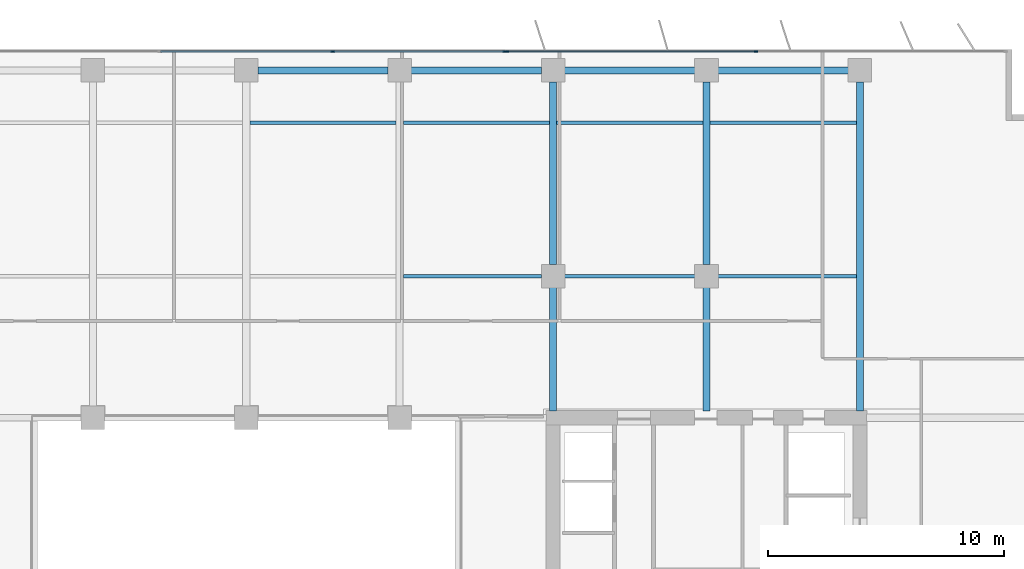
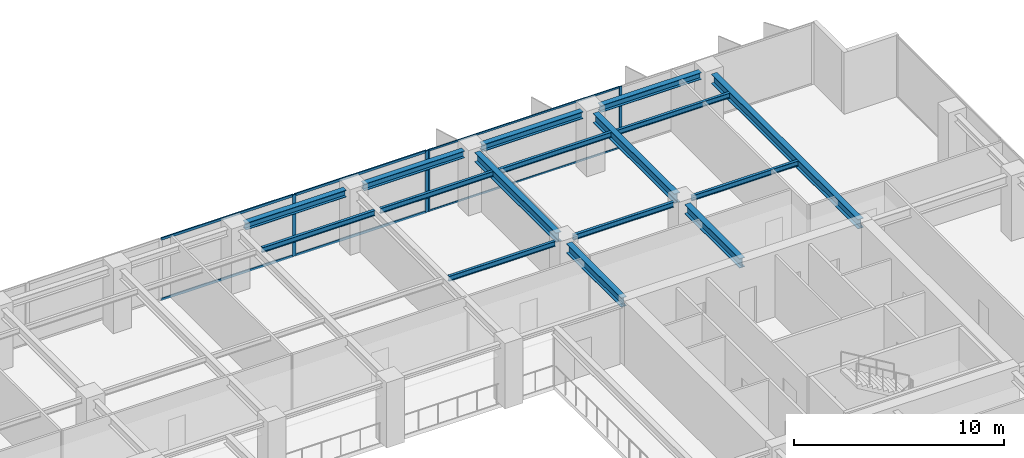
# One storey, part 10 of 22: 16 beams, 10 members, 2 elements without a shape of their own.
"""IFC4 building model written with IfcOpenShell, lengths in metres."""

from ifc_helpers import new_model, si_unit, direction, frame, origin, origin_2d, place, context, subcontext, project, spatial, rectangle, i_section, extrude, material, layer, layer_set, material_profile, profile_set, type_object, element, aggregate, save


model = new_model("IFC4")

# Units and contexts
model_context = context("Model", 3, precision=1e-05, world=origin(), true_north=direction((0.0, 1.0)))
body_context = subcontext(model_context, "Body", "Model", "MODEL_VIEW")
ifc_project = project(units=[si_unit("LENGTHUNIT", "METRE"), si_unit("AREAUNIT", "SQUARE_METRE"), si_unit("VOLUMEUNIT", "CUBIC_METRE"), si_unit("PLANEANGLEUNIT", "RADIAN"), si_unit("MASSUNIT", "GRAM", prefix="KILO")], contexts=[model_context])

# Site, building, storey
site_placement = place(None, origin())
site = spatial("IfcSite", under=ifc_project, at=site_placement, CompositionType="ELEMENT")
building_placement = place(site_placement, origin())
building = spatial("IfcBuilding", under=site, at=building_placement, Name="Putna Gate Headquarters", CompositionType="ELEMENT")
storey_placement = place(building_placement, frame((0.0, 0.0, 155.60009765625)))
storey = spatial("IfcBuildingStorey", under=building, at=storey_placement, Name="L38", CompositionType="ELEMENT", Elevation=155.60009765625)

# Beams
ifc_material_1 = material(Name="Steel S355J2", Category="steel")
ifc_material_profile_1 = material_profile(ifc_material_1, i_section(OverallWidth=0.300048828125, OverallDepth=0.550048828125, WebThickness=0.014892578125, FlangeThickness=0.029052734375, at=origin_2d()), Name="Steel S355J2")
ifc_profile_set_1 = profile_set([ifc_material_profile_1], Name="Steel S355J2")
beam_type_1 = type_object("IfcBeamType", Name="BM-GIRD-Z3-HEB550", PredefinedType="USERDEFINED", material=ifc_profile_set_1)
beam_1_placement = place(storey_placement, frame((52.0, 33.284912109375, 3.296875), z_axis=(0.0, 1.0, 0.0), x_axis=(-1.0, 0.0, 0.0)))
element("IfcBeam", 1, at=beam_1_placement, inside=storey, type_object=beam_type_1, Name="L38 North Primary Girder X52-1", ObjectType="GIRDER", PredefinedType="USERDEFINED", context=body_context, shape_type="SweptSolid", body=[
    extrude(i_section(OverallWidth=0.300048828125, OverallDepth=0.550048828125, WebThickness=0.014892578125, FlangeThickness=0.029052734375, at=origin_2d()), origin(), (0.0, 0.0, 1.0), 5.22705078125),
])
beam_2_placement = place(storey_placement, frame((52.0, 39.488037109375, 3.296875), z_axis=(0.0, 1.0, 0.0), x_axis=(-1.0, 0.0, 0.0)))
element("IfcBeam", 2, at=beam_2_placement, inside=storey, type_object=beam_type_1, Name="L38 North Primary Girder X52-2", ObjectType="GIRDER", PredefinedType="USERDEFINED", context=body_context, shape_type="SweptSolid", body=[
    extrude(i_section(OverallWidth=0.300048828125, OverallDepth=0.550048828125, WebThickness=0.014892578125, FlangeThickness=0.029052734375, at=origin_2d()), origin(), (0.0, 0.0, 1.0), 7.743896484375),
])
beam_3_placement = place(storey_placement, frame((58.5, 33.284912109375, 3.296875), z_axis=(0.0, 1.0, 0.0), x_axis=(-1.0, 0.0, 0.0)))
element("IfcBeam", 3, at=beam_3_placement, inside=storey, type_object=beam_type_1, Name="L38 North Primary Girder X58-1", ObjectType="GIRDER", PredefinedType="USERDEFINED", context=body_context, shape_type="SweptSolid", body=[
    extrude(i_section(OverallWidth=0.300048828125, OverallDepth=0.550048828125, WebThickness=0.014892578125, FlangeThickness=0.029052734375, at=origin_2d()), origin(), (0.0, 0.0, 1.0), 5.22705078125),
])
beam_4_placement = place(storey_placement, frame((58.5, 39.488037109375, 3.296875), z_axis=(0.0, 1.0, 0.0), x_axis=(-1.0, 0.0, 0.0)))
element("IfcBeam", 4, at=beam_4_placement, inside=storey, type_object=beam_type_1, Name="L38 North Primary Girder X58-2", ObjectType="GIRDER", PredefinedType="USERDEFINED", context=body_context, shape_type="SweptSolid", body=[
    extrude(i_section(OverallWidth=0.300048828125, OverallDepth=0.550048828125, WebThickness=0.014892578125, FlangeThickness=0.029052734375, at=origin_2d()), origin(), (0.0, 0.0, 1.0), 7.743896484375),
])
beam_5_placement = place(storey_placement, frame((65.0, 33.284912109375, 3.296875), z_axis=(0.0, 1.0, 0.0), x_axis=(-1.0, 0.0, 0.0)))
element("IfcBeam", 5, at=beam_5_placement, inside=storey, type_object=beam_type_1, Name="L38 North Primary Girder X65", ObjectType="GIRDER", PredefinedType="USERDEFINED", context=body_context, shape_type="SweptSolid", body=[
    extrude(i_section(OverallWidth=0.300048828125, OverallDepth=0.550048828125, WebThickness=0.014892578125, FlangeThickness=0.029052734375, at=origin_2d()), origin(), (0.0, 0.0, 1.0), 13.947021484375),
])
ifc_material_profile_2 = material_profile(ifc_material_1, i_section(OverallWidth=0.14990234375, OverallDepth=0.300048828125, WebThickness=0.007080078125, FlangeThickness=0.0107421875, at=origin_2d()), Name="Steel S355J2")
ifc_profile_set_2 = profile_set([ifc_material_profile_2], Name="Steel S355J2")
beam_type_2 = type_object("IfcBeamType", Name="BM-SEC-Z3-IPE300", PredefinedType="JOIST", material=ifc_profile_set_2)
beam_6_placement = place(storey_placement, frame((39.154052734375, 45.5, 3.421875), z_axis=(1.0, 0.0, 0.0), x_axis=(0.0, 1.0, 0.0)))
element("IfcBeam", 6, at=beam_6_placement, inside=storey, type_object=beam_type_2, Name="L38 North Secondary Beam 5", PredefinedType="JOIST", context=body_context, shape_type="SweptSolid", body=[
    extrude(i_section(OverallWidth=0.14990234375, OverallDepth=0.300048828125, WebThickness=0.007080078125, FlangeThickness=0.0107421875, at=origin_2d()), origin(), (0.0, 0.0, 1.0), 6.19189453125),
])
beam_7_placement = place(storey_placement, frame((45.654052734375, 39.0, 3.421875), z_axis=(1.0, 0.0, 0.0), x_axis=(0.0, 1.0, 0.0)))
element("IfcBeam", 7, at=beam_7_placement, inside=storey, type_object=beam_type_2, Name="L38 North Secondary Beam 6", PredefinedType="JOIST", context=body_context, shape_type="SweptSolid", body=[
    extrude(i_section(OverallWidth=0.14990234375, OverallDepth=0.300048828125, WebThickness=0.007080078125, FlangeThickness=0.0107421875, at=origin_2d()), origin(), (0.0, 0.0, 1.0), 5.85791015625),
])
beam_8_placement = place(storey_placement, frame((45.654052734375, 45.5, 3.421875), z_axis=(1.0, 0.0, 0.0), x_axis=(0.0, 1.0, 0.0)))
element("IfcBeam", 8, at=beam_8_placement, inside=storey, type_object=beam_type_2, Name="L38 North Secondary Beam 6", PredefinedType="JOIST", context=body_context, shape_type="SweptSolid", body=[
    extrude(i_section(OverallWidth=0.14990234375, OverallDepth=0.300048828125, WebThickness=0.007080078125, FlangeThickness=0.0107421875, at=origin_2d()), origin(), (0.0, 0.0, 1.0), 6.19189453125),
])
beam_9_placement = place(storey_placement, frame((52.488037109375, 39.0, 3.421875), z_axis=(1.0, 0.0, 0.0), x_axis=(0.0, 1.0, 0.0)))
element("IfcBeam", 9, at=beam_9_placement, inside=storey, type_object=beam_type_2, Name="L38 North Secondary Beam 7", PredefinedType="JOIST", context=body_context, shape_type="SweptSolid", body=[
    extrude(i_section(OverallWidth=0.14990234375, OverallDepth=0.300048828125, WebThickness=0.007080078125, FlangeThickness=0.0107421875, at=origin_2d()), origin(), (0.0, 0.0, 1.0), 5.52392578125),
])
beam_10_placement = place(storey_placement, frame((52.154052734375, 45.5, 3.421875), z_axis=(1.0, 0.0, 0.0), x_axis=(0.0, 1.0, 0.0)))
element("IfcBeam", 10, at=beam_10_placement, inside=storey, type_object=beam_type_2, Name="L38 North Secondary Beam 7", PredefinedType="JOIST", context=body_context, shape_type="SweptSolid", body=[
    extrude(i_section(OverallWidth=0.14990234375, OverallDepth=0.300048828125, WebThickness=0.007080078125, FlangeThickness=0.0107421875, at=origin_2d()), origin(), (0.0, 0.0, 1.0), 6.19189453125),
])
beam_11_placement = place(storey_placement, frame((58.988037109375, 39.0, 3.421875), z_axis=(1.0, 0.0, 0.0), x_axis=(0.0, 1.0, 0.0)))
element("IfcBeam", 11, at=beam_11_placement, inside=storey, type_object=beam_type_2, Name="L38 North Secondary Beam 8", PredefinedType="JOIST", context=body_context, shape_type="SweptSolid", body=[
    extrude(i_section(OverallWidth=0.14990234375, OverallDepth=0.300048828125, WebThickness=0.007080078125, FlangeThickness=0.0107421875, at=origin_2d()), origin(), (0.0, 0.0, 1.0), 5.85791015625),
])
beam_12_placement = place(storey_placement, frame((58.654052734375, 45.5, 3.421875), z_axis=(1.0, 0.0, 0.0), x_axis=(0.0, 1.0, 0.0)))
element("IfcBeam", 12, at=beam_12_placement, inside=storey, type_object=beam_type_2, Name="L38 North Secondary Beam 8", PredefinedType="JOIST", context=body_context, shape_type="SweptSolid", body=[
    extrude(i_section(OverallWidth=0.14990234375, OverallDepth=0.300048828125, WebThickness=0.007080078125, FlangeThickness=0.0107421875, at=origin_2d()), origin(), (0.0, 0.0, 1.0), 6.19189453125),
])
ifc_material_profile_3 = material_profile(ifc_material_1, i_section(OverallWidth=0.300048828125, OverallDepth=0.39990234375, WebThickness=0.013427734375, FlangeThickness=0.02392578125, at=origin_2d()), Name="Steel S355J2")
ifc_profile_set_3 = profile_set([ifc_material_profile_3], Name="Steel S355J2")
beam_type_3 = type_object("IfcBeamType", Name="BM-SPAN-Z3-HEB400", PredefinedType="SPANDREL", material=ifc_profile_set_3)
for number, where, z_axis, x_axis, name in (
    (13, (39.488037109375, 47.719970703125, 3.371826171875), (1.0, 0.0, 0.0), (0.0, 1.0, 0.0), "L38 N Perimeter Spandrel 5"),
    (14, (45.988037109375, 47.719970703125, 3.371826171875), (1.0, 0.0, 0.0), (0.0, 1.0, 0.0), "L38 N Perimeter Spandrel 6"),
    (15, (52.488037109375, 47.719970703125, 3.371826171875), (1.0, 0.0, 0.0), (0.0, 1.0, 0.0), "L38 N Perimeter Spandrel 7"),
    (16, (58.988037109375, 47.719970703125, 3.371826171875), (1.0, 0.0, 0.0), (0.0, 1.0, 0.0), "L38 N Perimeter Spandrel 8"),
):
    element("IfcBeam", number, at=place(storey_placement, frame(where, z_axis=z_axis, x_axis=x_axis)), inside=storey, type_object=beam_type_3, Name=name, PredefinedType="SPANDREL", context=body_context, shape_type="SweptSolid", body=[
        extrude(i_section(OverallWidth=0.300048828125, OverallDepth=0.39990234375, WebThickness=0.013427734375, FlangeThickness=0.02392578125, at=origin_2d()), origin(), (0.0, 0.0, 1.0), 5.52392578125),
    ])

# Curtain wall, members
ifc_material_2 = material(Name="Anodised bronze aluminium curtain wall", Category="aluminium")
ifc_layer_1 = layer(ifc_material_2, 0.159912109375)
ifc_layer_set_1 = layer_set([ifc_layer_1], Name="Anodised bronze aluminium curtain wall")
curtain_wall_type_1 = type_object("IfcCurtainWallType", Name="CW-SYS-Z3", PredefinedType="USERDEFINED", material=ifc_layer_set_1)
curtain_wall_1_placement = place(storey_placement, origin())
curtain_wall_1 = element("IfcCurtainWall", 17, at=curtain_wall_1_placement, inside=storey, type_object=curtain_wall_type_1, Name="L38 North East Curtain Wall", ObjectType="STICK CURTAIN WALL", PredefinedType="USERDEFINED")
ifc_material_3 = material(Name="Anodised bronze aluminium EN AW-6060", Category="aluminium")
ifc_material_profile_4 = material_profile(ifc_material_3, rectangle(XDim=0.06494140625, YDim=0.159912109375, at=origin_2d()), Name="Anodised bronze aluminium EN AW-6060")
ifc_profile_set_4 = profile_set([ifc_material_profile_4], Name="Anodised bronze aluminium EN AW-6060")
member_type_1 = type_object("IfcMemberType", Name="MULL-CWM-3", PredefinedType="MULLION", material=ifc_profile_set_4)
member_1_placement = place(storey_placement, frame((50.032470703125, 48.52001953125, 0.0), z_axis=(0.0, 0.0, 1.0), x_axis=(0.0, 1.0, 0.0)))
member_1 = element("IfcMember", 18, at=member_1_placement, type_object=member_type_1, Name="CWS-3 mullion 1", PredefinedType="MULLION", context=body_context, shape_type="SweptSolid", body=[
    extrude(rectangle(XDim=0.06494140625, YDim=0.159912109375, at=origin_2d()), origin(), (0.0, 0.0, 1.0), 3.572021484375),
])
member_2_placement = place(storey_placement, frame((60.60009765625, 48.52001953125, 0.0), z_axis=(0.0, 0.0, 1.0), x_axis=(0.0, 1.0, 0.0)))
member_2 = element("IfcMember", 19, at=member_2_placement, type_object=member_type_1, Name="CWS-3 mullion 2", PredefinedType="MULLION", context=body_context, shape_type="SweptSolid", body=[
    extrude(rectangle(XDim=0.06494140625, YDim=0.159912109375, at=origin_2d()), origin(), (0.0, 0.0, 1.0), 3.572021484375),
])

ifc_layer_2 = layer(ifc_material_2, 0.179931640625)
ifc_layer_set_2 = layer_set([ifc_layer_2], Name="Anodised bronze aluminium curtain wall")
curtain_wall_type_2 = type_object("IfcCurtainWallType", Name="CW-SYS-ATR", PredefinedType="USERDEFINED", material=ifc_layer_set_2)
curtain_wall_2_placement = place(storey_placement, origin())
curtain_wall_2 = element("IfcCurtainWall", 20, at=curtain_wall_2_placement, inside=storey, type_object=curtain_wall_type_2, Name="L38 North Atrium Clear Glazing", ObjectType="ATRIUM GLAZING", PredefinedType="USERDEFINED")
ifc_material_profile_5 = material_profile(ifc_material_3, rectangle(XDim=0.070068359375, YDim=0.179931640625, at=origin_2d()), Name="Anodised bronze aluminium EN AW-6060")
ifc_profile_set_5 = profile_set([ifc_material_profile_5], Name="Anodised bronze aluminium EN AW-6060")
member_type_2 = type_object("IfcMemberType", Name="MULL-CWM-AT", PredefinedType="MULLION", material=ifc_profile_set_5)
member_3_placement = place(storey_placement, frame((42.666748046875, 48.52001953125, 0.0), z_axis=(0.0, 0.0, 1.0), x_axis=(0.0, 1.0, 0.0)))
member_3 = element("IfcMember", 21, at=member_3_placement, type_object=member_type_2, Name="CWS-AT mullion 3", PredefinedType="MULLION", context=body_context, shape_type="SweptSolid", body=[
    extrude(rectangle(XDim=0.070068359375, YDim=0.179931640625, at=origin_2d()), origin(), (0.0, 0.0, 1.0), 3.572021484375),
])
member_4_placement = place(storey_placement, frame((49.965087890625, 48.52001953125, 0.0), z_axis=(0.0, 0.0, 1.0), x_axis=(0.0, 1.0, 0.0)))
member_4 = element("IfcMember", 22, at=member_4_placement, type_object=member_type_2, Name="CWS-AT mullion 4", PredefinedType="MULLION", context=body_context, shape_type="SweptSolid", body=[
    extrude(rectangle(XDim=0.070068359375, YDim=0.179931640625, at=origin_2d()), origin(), (0.0, 0.0, 1.0), 3.572021484375),
])

# Member
ifc_material_profile_6 = material_profile(ifc_material_3, rectangle(XDim=0.06005859375, YDim=0.10009765625, at=origin_2d()), Name="Anodised bronze aluminium EN AW-6060")
ifc_profile_set_6 = profile_set([ifc_material_profile_6], Name="Anodised bronze aluminium EN AW-6060")
member_type_3 = type_object("IfcMemberType", Name="TRAN-CWT-3", PredefinedType="USERDEFINED", material=ifc_profile_set_6)
member_5_placement = place(storey_placement, frame((50.06494140625, 48.52001953125, 0.02978515625), z_axis=(1.0, 0.0, 0.0), x_axis=(0.0, 1.0, 0.0)))
member_5 = element("IfcMember", 23, at=member_5_placement, type_object=member_type_3, Name="CWS-3 transom 1.1", ObjectType="TRANSOM", PredefinedType="USERDEFINED", context=body_context, shape_type="SweptSolid", body=[
    extrude(rectangle(XDim=0.06005859375, YDim=0.10009765625, at=origin_2d()), origin(), (0.0, 0.0, 1.0), 10.50244140625),
])

member_6_placement = place(storey_placement, frame((50.06494140625, 48.52001953125, 3.5419921875), z_axis=(1.0, 0.0, 0.0), x_axis=(0.0, 1.0, 0.0)))
member_6 = element("IfcMember", 24, at=member_6_placement, type_object=member_type_3, Name="CWS-3 transom 1.2", ObjectType="TRANSOM", PredefinedType="USERDEFINED", context=body_context, shape_type="SweptSolid", body=[
    extrude(rectangle(XDim=0.06005859375, YDim=0.10009765625, at=origin_2d()), origin(), (0.0, 0.0, 1.0), 10.50244140625),
])

aggregate(curtain_wall_1, [member_1, member_2, member_5, member_6])

ifc_material_profile_7 = material_profile(ifc_material_3, rectangle(XDim=0.070068359375, YDim=0.139892578125, at=origin_2d()), Name="Anodised bronze aluminium EN AW-6060")
ifc_profile_set_7 = profile_set([ifc_material_profile_7], Name="Anodised bronze aluminium EN AW-6060")
member_type_4 = type_object("IfcMemberType", Name="TRAN-CWT-AT", PredefinedType="USERDEFINED", material=ifc_profile_set_7)
member_7_placement = place(storey_placement, frame((35.368408203125, 48.52001953125, 0.034912109375), z_axis=(1.0, 0.0, 0.0), x_axis=(0.0, 1.0, 0.0)))
member_7 = element("IfcMember", 25, at=member_7_placement, type_object=member_type_4, Name="CWS-AT transom 2.1", ObjectType="TRANSOM", PredefinedType="USERDEFINED", context=body_context, shape_type="SweptSolid", body=[
    extrude(rectangle(XDim=0.070068359375, YDim=0.139892578125, at=origin_2d()), origin(), (0.0, 0.0, 1.0), 7.26318359375),
])

member_8_placement = place(storey_placement, frame((35.368408203125, 48.52001953125, 3.536865234375), z_axis=(1.0, 0.0, 0.0), x_axis=(0.0, 1.0, 0.0)))
member_8 = element("IfcMember", 26, at=member_8_placement, type_object=member_type_4, Name="CWS-AT transom 2.2", ObjectType="TRANSOM", PredefinedType="USERDEFINED", context=body_context, shape_type="SweptSolid", body=[
    extrude(rectangle(XDim=0.070068359375, YDim=0.139892578125, at=origin_2d()), origin(), (0.0, 0.0, 1.0), 7.26318359375),
])

member_9_placement = place(storey_placement, frame((42.70166015625, 48.52001953125, 0.034912109375), z_axis=(1.0, 0.0, 0.0), x_axis=(0.0, 1.0, 0.0)))
member_9 = element("IfcMember", 27, at=member_9_placement, type_object=member_type_4, Name="CWS-AT transom 3.1", ObjectType="TRANSOM", PredefinedType="USERDEFINED", context=body_context, shape_type="SweptSolid", body=[
    extrude(rectangle(XDim=0.070068359375, YDim=0.139892578125, at=origin_2d()), origin(), (0.0, 0.0, 1.0), 7.228271484375),
])

member_10_placement = place(storey_placement, frame((42.70166015625, 48.52001953125, 3.536865234375), z_axis=(1.0, 0.0, 0.0), x_axis=(0.0, 1.0, 0.0)))
member_10 = element("IfcMember", 28, at=member_10_placement, type_object=member_type_4, Name="CWS-AT transom 3.2", ObjectType="TRANSOM", PredefinedType="USERDEFINED", context=body_context, shape_type="SweptSolid", body=[
    extrude(rectangle(XDim=0.070068359375, YDim=0.139892578125, at=origin_2d()), origin(), (0.0, 0.0, 1.0), 7.228271484375),
])

aggregate(curtain_wall_2, [member_3, member_4, member_7, member_8, member_9, member_10])

save(model, "model.ifc")
